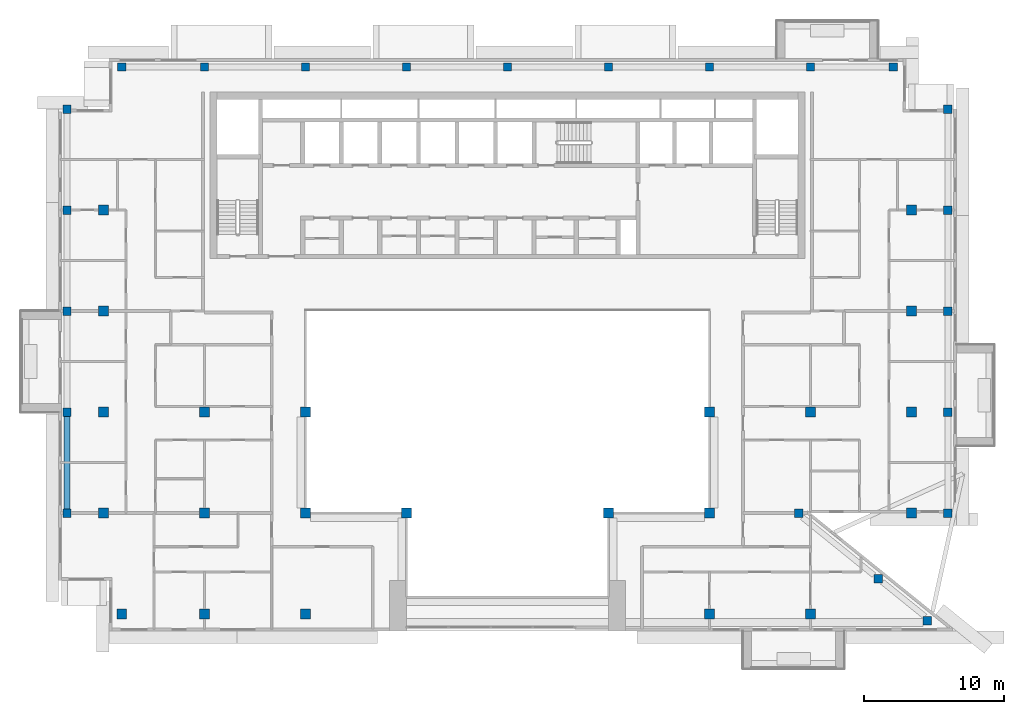
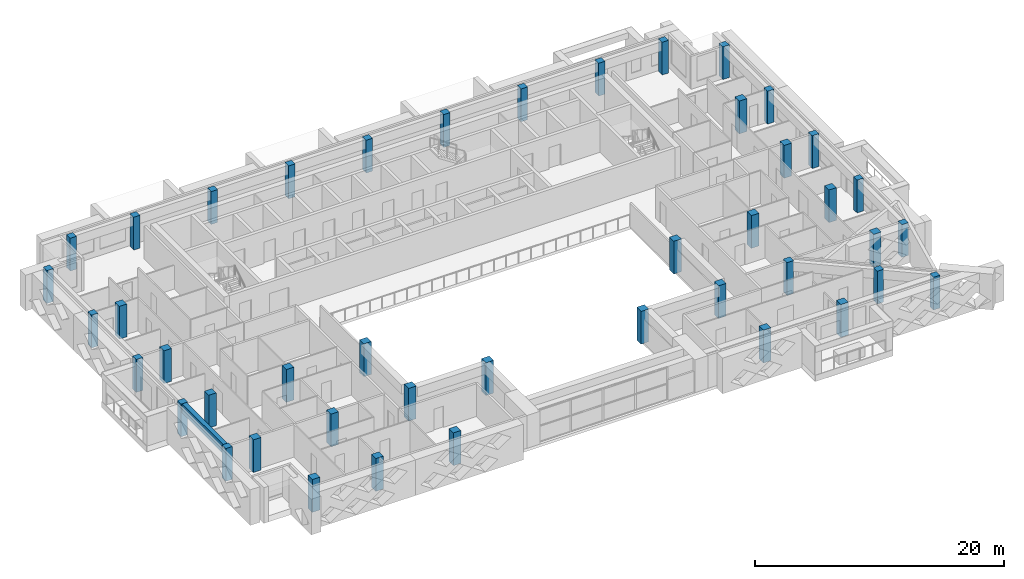
# One storey, part 1 of 19: 44 columns, 1 beam.
"""IFC4 building model written with IfcOpenShell, lengths in metres."""

from ifc_helpers import new_model, si_unit, direction, frame, origin, origin_2d, place, context, subcontext, project, spatial, rectangle, extrude, source, transform, mapped, material, material_profile, profile_set, type_object, element, save


model = new_model("IFC4")

# Units and contexts
model_context = context("Model", 3, precision=1e-05, world=origin(), true_north=direction((0.0, 1.0)))
body_context = subcontext(model_context, "Body", "Model", "MODEL_VIEW")
ifc_project = project(units=[si_unit("LENGTHUNIT", "METRE"), si_unit("AREAUNIT", "SQUARE_METRE"), si_unit("VOLUMEUNIT", "CUBIC_METRE"), si_unit("PLANEANGLEUNIT", "RADIAN"), si_unit("MASSUNIT", "GRAM", prefix="KILO")], contexts=[model_context])

# Site, building, storey
site_placement = place(None, origin())
site = spatial("IfcSite", under=ifc_project, at=site_placement, CompositionType="ELEMENT")
building_placement = place(site_placement, origin())
building = spatial("IfcBuilding", under=site, at=building_placement, Name="Saffron Iwan Residences", CompositionType="ELEMENT")
storey_placement = place(building_placement, frame((0.0, 0.0, 264.0)))
storey = spatial("IfcBuildingStorey", under=building, at=storey_placement, Name="L71", CompositionType="ELEMENT", Elevation=264.0)

# Columns
ifc_material = material(Name="Concrete C40/50", Category="concrete")
ifc_material_profile_1 = material_profile(ifc_material, rectangle(XDim=0.699951171875, YDim=0.699951171875, at=origin_2d()), Name="RC 700x700")
ifc_profile_set_1 = profile_set([ifc_material_profile_1], Name="Concrete C40/50")
column_type_1 = type_object("IfcColumnType", Name="COL RC 700x700 C40/50 3220 HIGH", PredefinedType="COLUMN", material=ifc_profile_set_1)
shared_shape_1 = source(origin(), body_context, "Body", "SweptSolid", [
    extrude(rectangle(XDim=0.699951171875, YDim=0.699951171875, at=origin_2d()), origin(), (0.0, 0.0, 1.0), 3.219970703125),
])
for number, where, z_axis, x_axis, name in (
    (1, (22.89990234375, 40.800048828125, 0.0), (0.0, 0.0, 1.0), (1.0, 0.0, 0.0), "Column C050"),
    (2, (28.800048828125, 40.800048828125, 0.0), (0.0, 0.0, 1.0), (1.0, 0.0, 0.0), "Column C051"),
    (3, (36.0, 40.800048828125, 0.0), (0.0, 0.0, 1.0), (1.0, 0.0, 0.0), "Column C052"),
    (4, (64.800048828125, 40.800048828125, 0.0), (0.0, 0.0, 1.0), (1.0, 0.0, 0.0), "Column C055"),
    (5, (72.0, 40.800048828125, 0.0), (0.0, 0.0, 1.0), (1.0, 0.0, 0.0), "Column C056"),
    (6, (21.60009765625, 48.0, 0.0), (0.0, 0.0, 1.0), (1.0, 0.0, 0.0), "Column C063"),
    (7, (28.800048828125, 48.0, 0.0), (0.0, 0.0, 1.0), (1.0, 0.0, 0.0), "Column C064"),
    (8, (36.0, 48.0, 0.0), (0.0, 0.0, 1.0), (1.0, 0.0, 0.0), "Column C065"),
    (9, (43.199951171875, 48.0, 0.0), (0.0, 0.0, 1.0), (1.0, 0.0, 0.0), "Column C066"),
    (10, (57.60009765625, 48.0, 0.0), (0.0, 0.0, 1.0), (1.0, 0.0, 0.0), "Column C068"),
    (11, (64.800048828125, 48.0, 0.0), (0.0, 0.0, 1.0), (1.0, 0.0, 0.0), "Column C069"),
    (12, (79.199951171875, 48.0, 0.0), (0.0, 0.0, 1.0), (1.0, 0.0, 0.0), "Column C072"),
    (13, (21.60009765625, 55.199951171875, 0.0), (0.0, 0.0, 1.0), (1.0, 0.0, 0.0), "Column C079"),
    (14, (28.800048828125, 55.199951171875, 0.0), (0.0, 0.0, 1.0), (1.0, 0.0, 0.0), "Column C080"),
    (15, (36.0, 55.199951171875, 0.0), (0.0, 0.0, 1.0), (1.0, 0.0, 0.0), "Column C081"),
    (16, (64.800048828125, 55.199951171875, 0.0), (0.0, 0.0, 1.0), (1.0, 0.0, 0.0), "Column C082"),
    (17, (72.0, 55.199951171875, 0.0), (0.0, 0.0, 1.0), (1.0, 0.0, 0.0), "Column C083"),
    (18, (79.199951171875, 55.199951171875, 0.0), (0.0, 0.0, 1.0), (1.0, 0.0, 0.0), "Column C084"),
    (19, (21.60009765625, 62.39990234375, 0.0), (0.0, 0.0, 1.0), (1.0, 0.0, 0.0), "Column C091"),
    (20, (79.199951171875, 62.39990234375, 0.0), (0.0, 0.0, 1.0), (1.0, 0.0, 0.0), "Column C092"),
    (21, (21.60009765625, 69.60009765625, 0.0), (0.0, 0.0, 1.0), (1.0, 0.0, 0.0), "Column C099"),
    (22, (79.199951171875, 69.60009765625, 0.0), (0.0, 0.0, 1.0), (1.0, 0.0, 0.0), "Column C100"),
):
    element("IfcColumn", number, at=place(storey_placement, frame(where, z_axis=z_axis, x_axis=x_axis)), inside=storey, type_object=column_type_1, Name=name, PredefinedType="COLUMN", context=body_context, shape_type="MappedRepresentation", body=[
        mapped(shared_shape_1, transform((0.0, 0.0, 0.0))),
    ])
ifc_material_profile_2 = material_profile(ifc_material, rectangle(XDim=0.60009765625, YDim=0.60009765625, at=origin_2d()), Name="RC 600x600")
ifc_profile_set_2 = profile_set([ifc_material_profile_2], Name="Concrete C40/50")
column_type_2 = type_object("IfcColumnType", Name="COL RC 600x600 C40/50 3220 HIGH", PredefinedType="COLUMN", material=ifc_profile_set_2)
shared_shape_2 = source(origin(), body_context, "Body", "SweptSolid", [
    extrude(rectangle(XDim=0.60009765625, YDim=0.60009765625, at=origin_2d()), origin(), (0.0, 0.0, 1.0), 3.219970703125),
])
for number, where, z_axis, x_axis, name in (
    (23, (80.32568359375, 40.3330078125, 0.0), (0.0, 0.0, 1.0), (1.0, 0.0, 0.0), "Column C046"),
    (24, (76.822998046875, 43.333251953125, 0.0), (0.0, 0.0, 1.0), (1.0, 0.0, 0.0), "Column C057"),
    (25, (19.0, 48.0, 0.0), (0.0, 0.0, 1.0), (1.0, 0.0, 0.0), "Column C062"),
    (26, (71.14990234375, 48.0, 0.0), (0.0, 0.0, 1.0), (1.0, 0.0, 0.0), "Column C070"),
    (27, (81.800048828125, 48.0, 0.0), (0.0, 0.0, 1.0), (1.0, 0.0, 0.0), "Column C073"),
    (28, (19.0, 55.199951171875, 0.0), (0.0, 0.0, 1.0), (1.0, 0.0, 0.0), "Column C078"),
    (29, (81.800048828125, 55.199951171875, 0.0), (0.0, 0.0, 1.0), (1.0, 0.0, 0.0), "Column C085"),
    (30, (19.0, 62.39990234375, 0.0), (0.0, 0.0, 1.0), (1.0, 0.0, 0.0), "Column C090"),
    (31, (81.800048828125, 62.39990234375, 0.0), (0.0, 0.0, 1.0), (1.0, 0.0, 0.0), "Column C093"),
    (32, (19.0, 69.60009765625, 0.0), (0.0, 0.0, 1.0), (1.0, 0.0, 0.0), "Column C098"),
    (33, (81.800048828125, 69.60009765625, 0.0), (0.0, 0.0, 1.0), (1.0, 0.0, 0.0), "Column C101"),
    (34, (19.0, 76.800048828125, 0.0), (0.0, 0.0, 1.0), (1.0, 0.0, 0.0), "Column C106"),
    (35, (81.800048828125, 76.800048828125, 0.0), (0.0, 0.0, 1.0), (1.0, 0.0, 0.0), "Column C109"),
    (36, (22.89990234375, 79.800048828125, 0.0), (0.0, 0.0, 1.0), (1.0, 0.0, 0.0), "Column C114"),
    (37, (28.800048828125, 79.800048828125, 0.0), (0.0, 0.0, 1.0), (1.0, 0.0, 0.0), "Column C115"),
    (38, (36.0, 79.800048828125, 0.0), (0.0, 0.0, 1.0), (1.0, 0.0, 0.0), "Column C116"),
    (39, (43.199951171875, 79.800048828125, 0.0), (0.0, 0.0, 1.0), (1.0, 0.0, 0.0), "Column C117"),
    (40, (50.39990234375, 79.800048828125, 0.0), (0.0, 0.0, 1.0), (1.0, 0.0, 0.0), "Column C118"),
    (41, (57.60009765625, 79.800048828125, 0.0), (0.0, 0.0, 1.0), (1.0, 0.0, 0.0), "Column C119"),
    (42, (64.800048828125, 79.800048828125, 0.0), (0.0, 0.0, 1.0), (1.0, 0.0, 0.0), "Column C120"),
    (43, (72.0, 79.800048828125, 0.0), (0.0, 0.0, 1.0), (1.0, 0.0, 0.0), "Column C121"),
    (44, (77.89990234375, 79.800048828125, 0.0), (0.0, 0.0, 1.0), (1.0, 0.0, 0.0), "Column C122"),
):
    element("IfcColumn", number, at=place(storey_placement, frame(where, z_axis=z_axis, x_axis=x_axis)), inside=storey, type_object=column_type_2, Name=name, PredefinedType="COLUMN", context=body_context, shape_type="MappedRepresentation", body=[
        mapped(shared_shape_2, transform((0.0, 0.0, 0.0))),
    ])

# Beam
ifc_material_profile_3 = material_profile(ifc_material, rectangle(XDim=0.39990234375, YDim=0.89990234375, at=origin_2d()), Name="RC 400x900")
ifc_profile_set_3 = profile_set([ifc_material_profile_3], Name="Concrete C40/50")
beam_type = type_object("IfcBeamType", Name="SPANDREL BEAM RC 400x900 C40/50 TOP 3220", PredefinedType="SPANDREL", material=ifc_profile_set_3)
shared_shape_3 = source(origin(), body_context, "Body", "SweptSolid", [
    extrude(rectangle(XDim=0.39990234375, YDim=0.89990234375, at=origin_2d()), origin(), (0.0, 0.0, 1.0), 6.599853515625),
])
beam_placement = place(storey_placement, frame((19.0, 48.300048828125, 2.77001953125), z_axis=(0.0, 1.0, 0.0), x_axis=(-1.0, 0.0, 0.0)))
element("IfcBeam", 45, at=beam_placement, inside=storey, type_object=beam_type, Name="Spandrel beam", PredefinedType="SPANDREL", context=body_context, shape_type="MappedRepresentation", body=[
    mapped(shared_shape_3, transform((0.0, 0.0, 0.0))),
])

save(model, "model.ifc")
